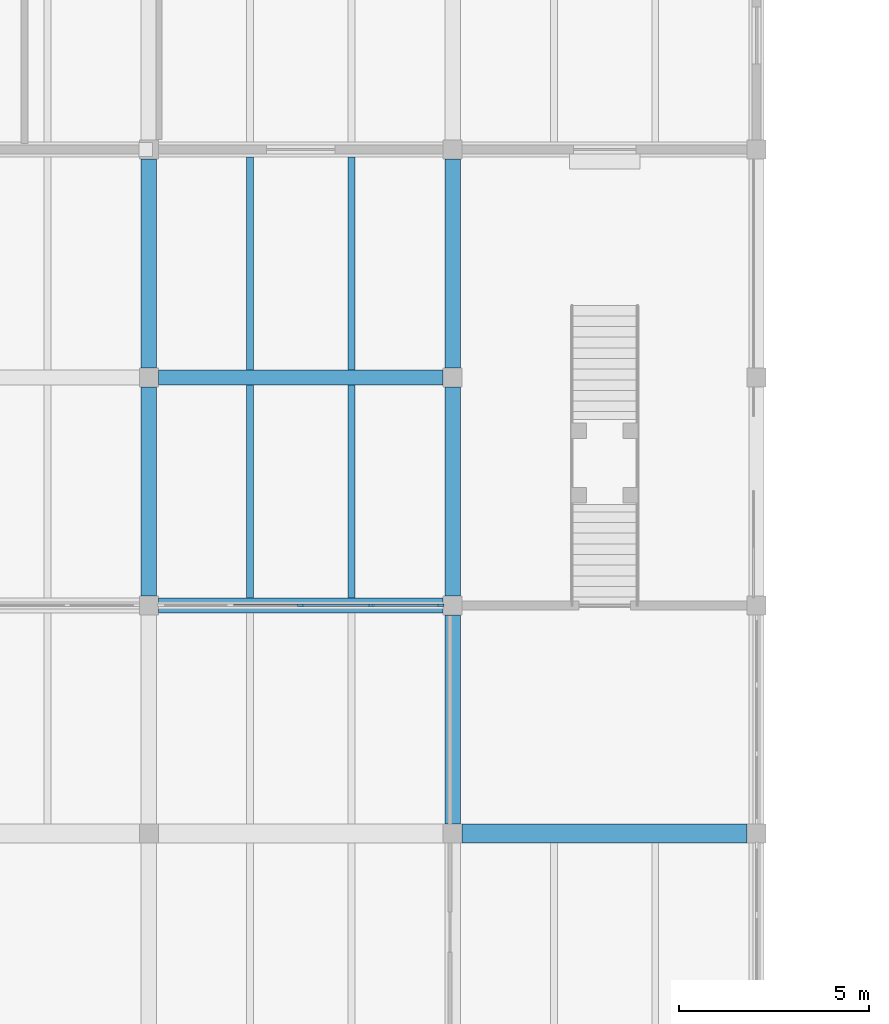
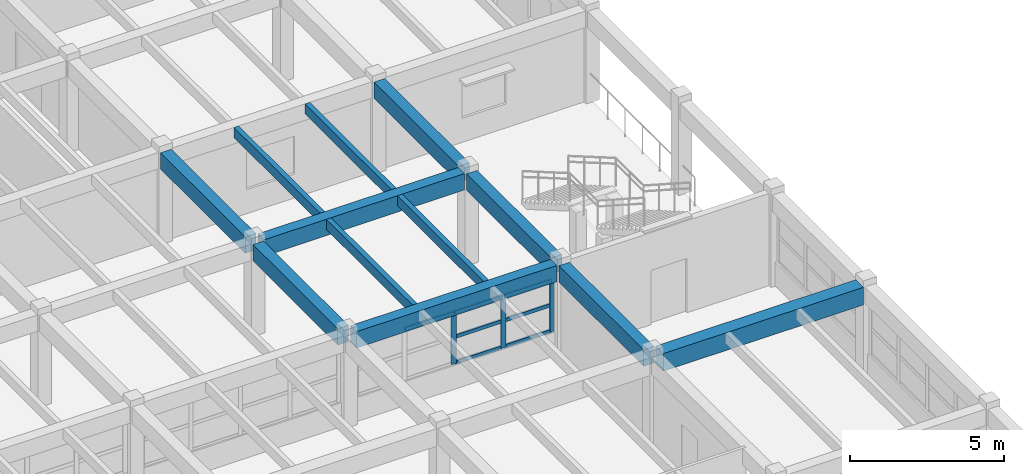
# One storey, part 7 of 89: 12 beams, 10 members, 1 element without a shape of its own.
"""IFC4 building model written with IfcOpenShell, lengths in metres."""

from ifc_helpers import new_model, si_unit, direction, frame, origin, origin_2d, place, context, subcontext, project, spatial, rectangle, extrude, material, layer, layer_set, material_profile, profile_set, type_object, element, aggregate, save


model = new_model("IFC4")

# Units and contexts
model_context = context("Model", 3, precision=1e-05, world=origin(), true_north=direction((0.0, 1.0)))
body_context = subcontext(model_context, "Body", "Model", "MODEL_VIEW")
ifc_project = project(units=[si_unit("LENGTHUNIT", "METRE"), si_unit("AREAUNIT", "SQUARE_METRE"), si_unit("VOLUMEUNIT", "CUBIC_METRE"), si_unit("PLANEANGLEUNIT", "RADIAN"), si_unit("MASSUNIT", "GRAM", prefix="KILO")], contexts=[model_context])

# Site, building, storey
site_placement = place(None, origin())
site = spatial("IfcSite", under=ifc_project, at=site_placement, CompositionType="ELEMENT")
building_placement = place(site_placement, origin())
building = spatial("IfcBuilding", under=site, at=building_placement, Name="Tonlespit Floodbar School", CompositionType="ELEMENT")
storey_placement = place(building_placement, frame((0.0, 0.0, 4.5)))
storey = spatial("IfcBuildingStorey", under=building, at=storey_placement, Name="L01", CompositionType="ELEMENT", Elevation=4.5)

# Beams
ifc_material_1 = material(Name="Concrete C40/50", Category="concrete")
ifc_material_profile_1 = material_profile(ifc_material_1, rectangle(XDim=0.39990234375, YDim=0.64990234375, at=origin_2d()), Name="RC 400x650")
ifc_profile_set_1 = profile_set([ifc_material_profile_1], Name="Concrete C40/50")
beam_type_1 = type_object("IfcBeamType", Name="Beam_RC_400x650", PredefinedType="BEAM", material=ifc_profile_set_1)
for number, where, z_axis, x_axis, name in (
    (1, (20.25, 26.0, 3.322998046875), (1.0, 0.0, 0.0), (0.0, 1.0, 0.0), "L01 girder 0558"),
    (2, (20.25, 32.0, 3.324951171875), (1.0, 0.0, 0.0), (0.0, 1.0, 0.0), "L01 girder 0561"),
):
    element("IfcBeam", number, at=place(storey_placement, frame(where, z_axis=z_axis, x_axis=x_axis)), inside=storey, type_object=beam_type_1, Name=name, PredefinedType="BEAM", context=body_context, shape_type="SweptSolid", body=[
        extrude(rectangle(XDim=0.39990234375, YDim=0.64990234375, at=origin_2d()), origin(), (0.0, 0.0, 1.0), 7.5),
    ])
for number, where, z_axis, x_axis, name in (
    (3, (20.0, 26.25, 3.324951171875), (0.0, 1.0, 0.0), (-1.0, 0.0, 0.0), "L01 girder 0690"),
    (4, (20.0, 32.25, 3.324951171875), (0.0, 1.0, 0.0), (-1.0, 0.0, 0.0), "L01 girder 0691"),
    (5, (28.0, 20.25, 3.324951171875), (0.0, 1.0, 0.0), (-1.0, 0.0, 0.0), "L01 girder 0702"),
    (6, (28.0, 26.25, 3.324951171875), (0.0, 1.0, 0.0), (-1.0, 0.0, 0.0), "L01 girder 0703"),
    (7, (28.0, 32.25, 3.324951171875), (0.0, 1.0, 0.0), (-1.0, 0.0, 0.0), "L01 girder 0704"),
):
    element("IfcBeam", number, at=place(storey_placement, frame(where, z_axis=z_axis, x_axis=x_axis)), inside=storey, type_object=beam_type_1, Name=name, PredefinedType="BEAM", context=body_context, shape_type="SweptSolid", body=[
        extrude(rectangle(XDim=0.39990234375, YDim=0.64990234375, at=origin_2d()), origin(), (0.0, 0.0, 1.0), 5.5),
    ])

# Curtain wall, members
ifc_material_2 = material(Name="Anodised Aluminium", Category="aluminium")
ifc_layer = layer(ifc_material_2, 0.159912109375)
ifc_layer_set = layer_set([ifc_layer], Name="Anodised Aluminium")
curtain_wall_type = type_object("IfcCurtainWallType", Name="CurtainWall_7400x2050", PredefinedType="NOTDEFINED", material=ifc_layer_set)
curtain_wall_placement = place(storey_placement, origin())
curtain_wall = element("IfcCurtainWall", 8, at=curtain_wall_placement, inside=storey, type_object=curtain_wall_type, Name="L01 unitised curtain wall 0527", PredefinedType="NOTDEFINED")
ifc_material_profile_2 = material_profile(ifc_material_2, rectangle(XDim=0.06494140625, YDim=0.179931640625, at=origin_2d()), Name="ALU M65x180")
ifc_profile_set_2 = profile_set([ifc_material_profile_2], Name="Anodised Aluminium")
member_type_1 = type_object("IfcMemberType", Name="CW_Mullion_65x180", PredefinedType="MULLION", material=ifc_profile_set_2)
member_1_placement = place(storey_placement, frame((24.0, 26.0, 0.949951171875), z_axis=(0.0, 0.0, 1.0), x_axis=(0.0, 1.0, 0.0)))
member_1 = element("IfcMember", 9, at=member_1_placement, type_object=member_type_1, Name="CW-36 mullion 3", PredefinedType="MULLION", context=body_context, shape_type="SweptSolid", body=[
    extrude(rectangle(XDim=0.06494140625, YDim=0.179931640625, at=origin_2d()), origin(), (0.0, 0.0, 1.0), 2.048095703125),
])
member_2_placement = place(storey_placement, frame((25.85498046875, 26.0, 0.949951171875), z_axis=(0.0, 0.0, 1.0), x_axis=(0.0, 1.0, 0.0)))
member_2 = element("IfcMember", 10, at=member_2_placement, type_object=member_type_1, Name="CW-36 mullion 4", PredefinedType="MULLION", context=body_context, shape_type="SweptSolid", body=[
    extrude(rectangle(XDim=0.06494140625, YDim=0.179931640625, at=origin_2d()), origin(), (0.0, 0.0, 1.0), 2.048095703125),
])
member_3_placement = place(storey_placement, frame((27.677490234375, 26.0, 0.949951171875), z_axis=(0.0, 0.0, 1.0), x_axis=(0.0, 1.0, 0.0)))
member_3 = element("IfcMember", 11, at=member_3_placement, type_object=member_type_1, Name="CW-36 mullion 5", PredefinedType="MULLION", context=body_context, shape_type="SweptSolid", body=[
    extrude(rectangle(XDim=0.06494140625, YDim=0.179931640625, at=origin_2d()), origin(), (0.0, 0.0, 1.0), 2.048095703125),
])
ifc_material_profile_3 = material_profile(ifc_material_2, rectangle(XDim=0.06494140625, YDim=0.139892578125, at=origin_2d()), Name="ALU T65x140")
ifc_profile_set_3 = profile_set([ifc_material_profile_3], Name="Anodised Aluminium")
member_type_2 = type_object("IfcMemberType", Name="CW_Transom_65x140", PredefinedType="USERDEFINED", material=ifc_profile_set_3)
member_4_placement = place(storey_placement, frame((22.177490234375, 26.0, 2.965576171875), z_axis=(1.0, 0.0, 0.0), x_axis=(0.0, 1.0, 0.0)))
member_4 = element("IfcMember", 12, at=member_4_placement, type_object=member_type_2, Name="CW-36 transom 2.3", ObjectType="TRANSOM", PredefinedType="USERDEFINED", context=body_context, shape_type="SweptSolid", body=[
    extrude(rectangle(XDim=0.06494140625, YDim=0.139892578125, at=origin_2d()), origin(), (0.0, 0.0, 1.0), 1.7900390625),
])
member_5_placement = place(storey_placement, frame((24.032470703125, 26.0, 0.982421875), z_axis=(1.0, 0.0, 0.0), x_axis=(0.0, 1.0, 0.0)))
member_5 = element("IfcMember", 13, at=member_5_placement, type_object=member_type_2, Name="CW-36 transom 3.1", ObjectType="TRANSOM", PredefinedType="USERDEFINED", context=body_context, shape_type="SweptSolid", body=[
    extrude(rectangle(XDim=0.06494140625, YDim=0.139892578125, at=origin_2d()), origin(), (0.0, 0.0, 1.0), 1.7900390625),
])
member_6_placement = place(storey_placement, frame((24.032470703125, 26.0, 2.014892578125), z_axis=(1.0, 0.0, 0.0), x_axis=(0.0, 1.0, 0.0)))
member_6 = element("IfcMember", 14, at=member_6_placement, type_object=member_type_2, Name="CW-36 transom 3.2", ObjectType="TRANSOM", PredefinedType="USERDEFINED", context=body_context, shape_type="SweptSolid", body=[
    extrude(rectangle(XDim=0.06494140625, YDim=0.139892578125, at=origin_2d()), origin(), (0.0, 0.0, 1.0), 1.7900390625),
])
member_7_placement = place(storey_placement, frame((24.032470703125, 26.0, 2.965576171875), z_axis=(1.0, 0.0, 0.0), x_axis=(0.0, 1.0, 0.0)))
member_7 = element("IfcMember", 15, at=member_7_placement, type_object=member_type_2, Name="CW-36 transom 3.3", ObjectType="TRANSOM", PredefinedType="USERDEFINED", context=body_context, shape_type="SweptSolid", body=[
    extrude(rectangle(XDim=0.06494140625, YDim=0.139892578125, at=origin_2d()), origin(), (0.0, 0.0, 1.0), 1.7900390625),
])
member_8_placement = place(storey_placement, frame((25.887451171875, 26.0, 0.982421875), z_axis=(1.0, 0.0, 0.0), x_axis=(0.0, 1.0, 0.0)))
member_8 = element("IfcMember", 16, at=member_8_placement, type_object=member_type_2, Name="CW-36 transom 4.1", ObjectType="TRANSOM", PredefinedType="USERDEFINED", context=body_context, shape_type="SweptSolid", body=[
    extrude(rectangle(XDim=0.06494140625, YDim=0.139892578125, at=origin_2d()), origin(), (0.0, 0.0, 1.0), 1.757568359375),
])
member_9_placement = place(storey_placement, frame((25.887451171875, 26.0, 2.014892578125), z_axis=(1.0, 0.0, 0.0), x_axis=(0.0, 1.0, 0.0)))
member_9 = element("IfcMember", 17, at=member_9_placement, type_object=member_type_2, Name="CW-36 transom 4.2", ObjectType="TRANSOM", PredefinedType="USERDEFINED", context=body_context, shape_type="SweptSolid", body=[
    extrude(rectangle(XDim=0.06494140625, YDim=0.139892578125, at=origin_2d()), origin(), (0.0, 0.0, 1.0), 1.757568359375),
])
member_10_placement = place(storey_placement, frame((25.887451171875, 26.0, 2.965576171875), z_axis=(1.0, 0.0, 0.0), x_axis=(0.0, 1.0, 0.0)))
member_10 = element("IfcMember", 18, at=member_10_placement, type_object=member_type_2, Name="CW-36 transom 4.3", ObjectType="TRANSOM", PredefinedType="USERDEFINED", context=body_context, shape_type="SweptSolid", body=[
    extrude(rectangle(XDim=0.06494140625, YDim=0.139892578125, at=origin_2d()), origin(), (0.0, 0.0, 1.0), 1.757568359375),
])
aggregate(curtain_wall, [member_1, member_2, member_3, member_4, member_5, member_6, member_7, member_8, member_9, member_10])

# Beams
ifc_material_3 = material(Name="Glulam GL28h", Category="wood")
ifc_material_profile_4 = material_profile(ifc_material_3, rectangle(XDim=0.179931640625, YDim=0.39990234375, at=origin_2d()), Name="GL 180x400")
ifc_profile_set_4 = profile_set([ifc_material_profile_4], Name="Glulam GL28h")
beam_type_2 = type_object("IfcBeamType", Name="Joist_GL_180x400", PredefinedType="JOIST", material=ifc_profile_set_4)
for number, where, z_axis, x_axis, name in (
    (19, (22.666748046875, 26.199951171875, 3.447998046875), (0.0, 1.0, 0.0), (-1.0, 0.0, 0.0), "L01 secondary joist 0812"),
    (20, (25.333251953125, 26.199951171875, 3.447998046875), (0.0, 1.0, 0.0), (-1.0, 0.0, 0.0), "L01 secondary joist 0813"),
    (21, (22.666748046875, 32.199951171875, 3.449951171875), (0.0, 1.0, 0.0), (-1.0, 0.0, 0.0), "L01 secondary joist 0816"),
    (22, (25.333251953125, 32.199951171875, 3.449951171875), (0.0, 1.0, 0.0), (-1.0, 0.0, 0.0), "L01 secondary joist 0817"),
):
    element("IfcBeam", number, at=place(storey_placement, frame(where, z_axis=z_axis, x_axis=x_axis)), inside=storey, type_object=beam_type_2, Name=name, PredefinedType="JOIST", context=body_context, shape_type="SweptSolid", body=[
        extrude(rectangle(XDim=0.179931640625, YDim=0.39990234375, at=origin_2d()), origin(), (0.0, 0.0, 1.0), 5.60009765625),
    ])
ifc_material_profile_5 = material_profile(ifc_material_1, rectangle(XDim=0.5, YDim=0.699951171875, at=origin_2d()), Name="RC 500x700")
ifc_profile_set_5 = profile_set([ifc_material_profile_5], Name="Concrete C40/50")
beam_type_3 = type_object("IfcBeamType", Name="Spandrel_RC_500x700", PredefinedType="SPANDREL", material=ifc_profile_set_5)
beam_placement = place(storey_placement, frame((28.25, 20.0, 3.298095703125), z_axis=(1.0, 0.0, 0.0), x_axis=(0.0, 1.0, 0.0)))
element("IfcBeam", 23, at=beam_placement, inside=storey, type_object=beam_type_3, Name="L01 girder 0555", PredefinedType="SPANDREL", context=body_context, shape_type="SweptSolid", body=[
    extrude(rectangle(XDim=0.5, YDim=0.699951171875, at=origin_2d()), origin(), (0.0, 0.0, 1.0), 7.5),
])

save(model, "model.ifc")
